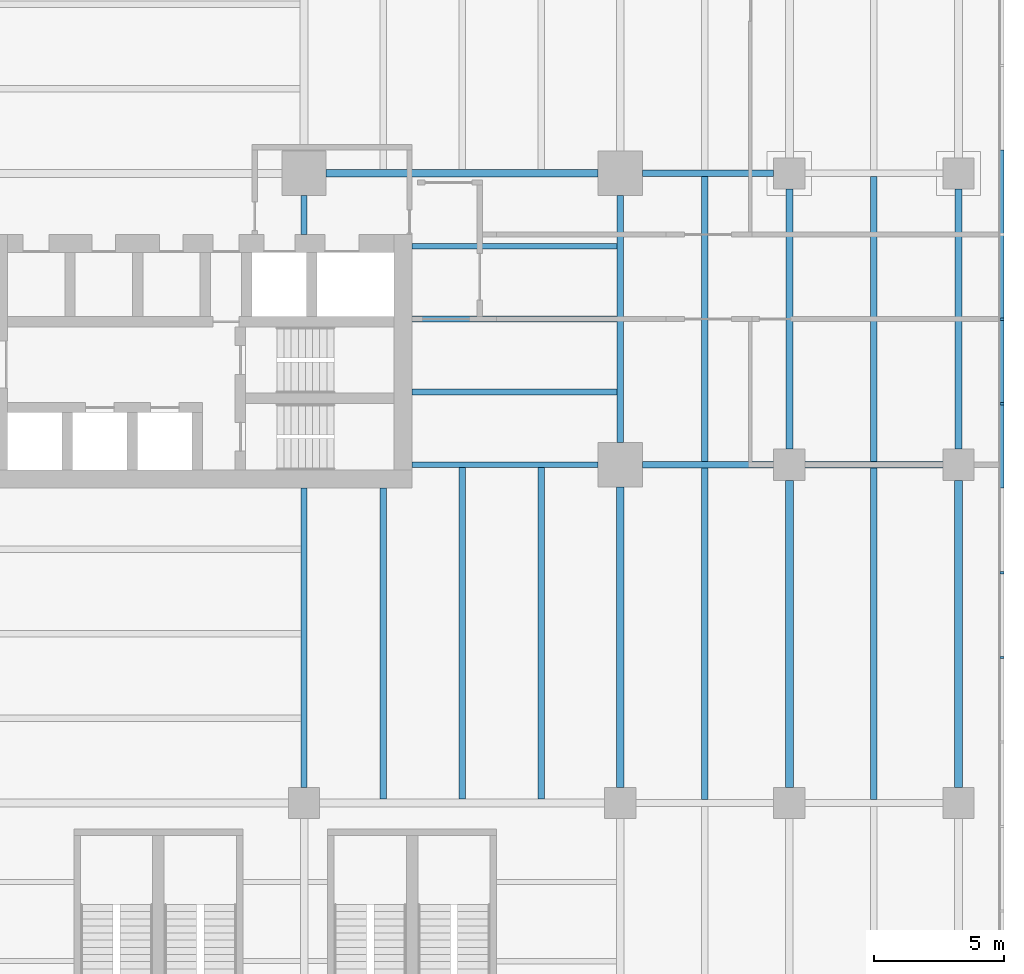
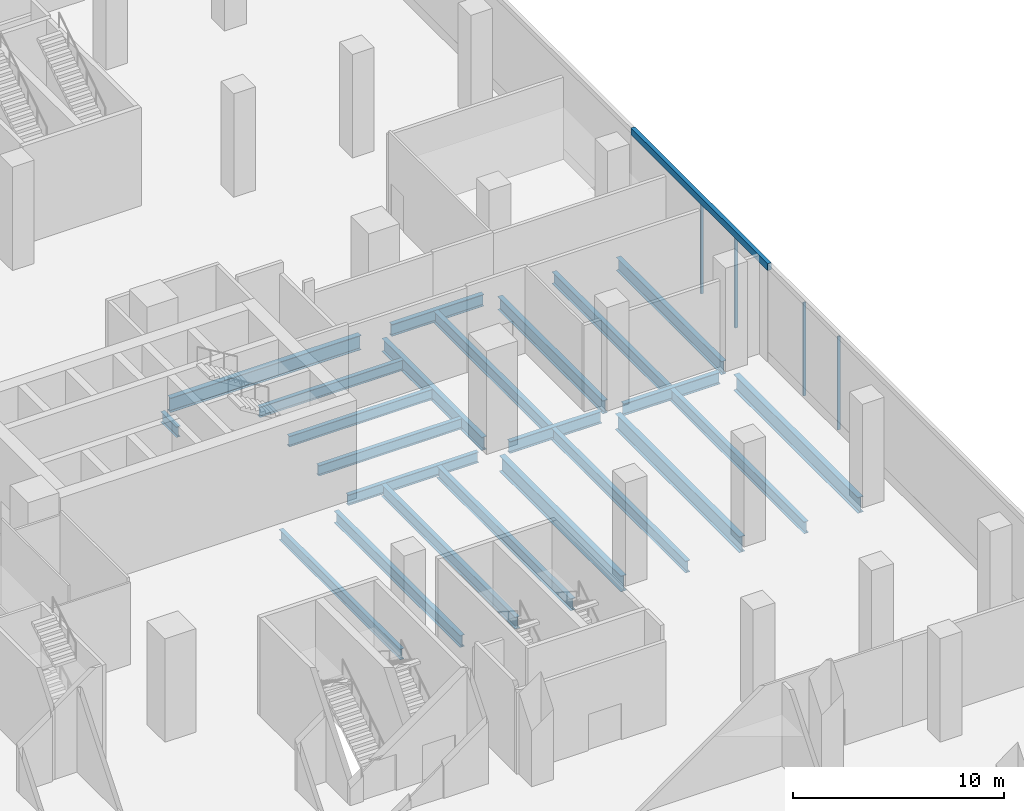
# One storey, part 17 of 41: 23 beams, 5 members, 2 elements without a shape of their own.
"""IFC4 building model written with IfcOpenShell, lengths in metres."""

from ifc_helpers import new_model, si_unit, direction, frame, origin, origin_2d, place, context, subcontext, project, spatial, polyline, rectangle, i_section, outline, extrude, source, transform, mapped, material, layer, layer_set, material_profile, profile_set, type_object, element, aggregate, save


model = new_model("IFC4")

# Units and contexts
model_context = context("Model", 3, precision=1e-05, world=origin(), true_north=direction((0.0, 1.0)))
body_context = subcontext(model_context, "Body", "Model", "MODEL_VIEW")
ifc_project = project(units=[si_unit("LENGTHUNIT", "METRE"), si_unit("AREAUNIT", "SQUARE_METRE"), si_unit("VOLUMEUNIT", "CUBIC_METRE"), si_unit("PLANEANGLEUNIT", "RADIAN"), si_unit("MASSUNIT", "GRAM", prefix="KILO")], contexts=[model_context])

# Site, building, storey
site_placement = place(None, origin())
site = spatial("IfcSite", under=ifc_project, at=site_placement, CompositionType="ELEMENT")
building_placement = place(site_placement, origin())
building = spatial("IfcBuilding", under=site, at=building_placement, Name="Trellis Farm Tower", CompositionType="ELEMENT")
storey_placement = place(building_placement, frame((0.0, 0.0, 8.0)))
storey = spatial("IfcBuildingStorey", under=building, at=storey_placement, Name="L01", CompositionType="ELEMENT", Elevation=8.0)

# Curtain wall, member
ifc_material_1 = material(Name="Aluminium and glass curtain wall", Category="aluminium")
ifc_layer_1 = layer(ifc_material_1, 0.2099609375)
ifc_layer_set_1 = layer_set([ifc_layer_1], Name="LOBBY CURTAIN WALL CW4")
curtain_wall_type_1 = type_object("IfcCurtainWallType", Name="LOBBY CURTAIN WALL CW4", PredefinedType="NOTDEFINED", material=ifc_layer_set_1)
placement = place(storey_placement, origin())
curtain_wall_1 = element("IfcCurtainWall", 1, at=placement, inside=storey, type_object=curtain_wall_type_1, Name="CW4 001", PredefinedType="NOTDEFINED")
ifc_material_2 = material(Name="Aluminium extrusion 6063-T6", Category="aluminium")
ifc_layer_2 = layer(ifc_material_2, 0.2099609375)
ifc_layer_set_2 = layer_set([ifc_layer_2], Name="Aluminium extrusion 6063-T6")
member_type_1 = type_object("IfcMemberType", Name="CW4 TRANSOM 210x400", PredefinedType="USERDEFINED", material=ifc_layer_set_2)
member_1_placement = place(storey_placement, frame((0.0, 0.0, 5.300048828125)))
member_1 = element("IfcMember", 2, at=member_1_placement, type_object=member_type_1, Name="TR4 001", ObjectType="TRANSOM", PredefinedType="USERDEFINED", context=body_context, shape_type="SweptSolid", body=[
    extrude(outline(polyline([(45.5, -6.5), (45.5, 6.5), (45.2900390625, 6.5), (45.2900390625, -6.5), (45.5, -6.5)])), origin(), (0.0, 0.0, 1.0), 0.39990234375),
])

# Beams
ifc_material_3 = material(Name="Steel S355", Category="steel")
ifc_material_profile_1 = material_profile(ifc_material_3, i_section(OverallWidth=0.253662109375, OverallDepth=0.68359375, WebThickness=0.012451171875, FlangeThickness=0.021728515625, FilletRadius=0.01513671875, at=origin_2d()), Name="UB 686x254x140")
ifc_profile_set_1 = profile_set([ifc_material_profile_1], Name="Steel S355")
beam_type_1 = type_object("IfcBeamType", Name="UB 686x254x140", PredefinedType="BEAM", material=ifc_profile_set_1)
shared_shape_1 = source(origin(), body_context, "Body", "SweptSolid", [
    extrude(i_section(OverallWidth=0.253662109375, OverallDepth=0.68359375, WebThickness=0.012451171875, FlangeThickness=0.021728515625, FilletRadius=0.01513671875, at=origin_2d()), origin(), (0.0, 0.0, 1.0), 5.2998046875),
])
beam_1_placement = place(storey_placement, frame((37.85009765625, -5.60009765625, -0.641845703125), z_axis=(1.0, 0.0, 0.0), x_axis=(0.0, 1.0, 0.0)))
element("IfcBeam", 3, at=beam_1_placement, inside=storey, type_object=beam_type_1, Name="Girder", PredefinedType="BEAM", context=body_context, shape_type="MappedRepresentation", body=[
    mapped(shared_shape_1, transform((0.0, 0.0, 0.0))),
])
ifc_material_profile_2 = material_profile(ifc_material_3, i_section(OverallWidth=0.305419921875, OverallDepth=0.91845703125, WebThickness=0.017333984375, FlangeThickness=0.02783203125, FilletRadius=0.01904296875, at=origin_2d()), Name="UB 914x305x253")
ifc_profile_set_2 = profile_set([ifc_material_profile_2], Name="Steel S355")
beam_type_2 = type_object("IfcBeamType", Name="UB 914x305x253", PredefinedType="BEAM", material=ifc_profile_set_2)
shared_shape_2 = source(origin(), body_context, "Body", "SweptSolid", [
    extrude(i_section(OverallWidth=0.305419921875, OverallDepth=0.91845703125, WebThickness=0.017333984375, FlangeThickness=0.02783203125, FilletRadius=0.01904296875, at=origin_2d()), origin(), (0.0, 0.0, 1.0), 11.800048828125),
])
for number, where, z_axis, x_axis, name in (
    (4, (37.25, -18.0, -0.75927734375), (0.0, 1.0, 0.0), (-1.0, 0.0, 0.0), "Girder"),
    (5, (43.75, -18.0, -0.75927734375), (0.0, 1.0, 0.0), (-1.0, 0.0, 0.0), "Girder"),
):
    element("IfcBeam", number, at=place(storey_placement, frame(where, z_axis=z_axis, x_axis=x_axis)), inside=storey, type_object=beam_type_2, Name=name, PredefinedType="BEAM", context=body_context, shape_type="MappedRepresentation", body=[
        mapped(shared_shape_2, transform((0.0, 0.0, 0.0))),
    ])
ifc_material_profile_3 = material_profile(ifc_material_3, i_section(OverallWidth=0.2666015625, OverallDepth=0.76220703125, WebThickness=0.014404296875, FlangeThickness=0.021484375, FilletRadius=0.0166015625, at=origin_2d()), Name="UB 762x267x173")
ifc_profile_set_3 = profile_set([ifc_material_profile_3], Name="Steel S355")
beam_type_3 = type_object("IfcBeamType", Name="UB 762x267x173", PredefinedType="BEAM", material=ifc_profile_set_3)
shared_shape_3 = source(origin(), body_context, "Body", "SweptSolid", [
    extrude(i_section(OverallWidth=0.2666015625, OverallDepth=0.76220703125, WebThickness=0.014404296875, FlangeThickness=0.021484375, FilletRadius=0.0166015625, at=origin_2d()), origin(), (0.0, 0.0, 1.0), 10.0),
])
for number, where, z_axis, x_axis, name in (
    (6, (37.25, -5.0, -0.68115234375), (0.0, 1.0, 0.0), (-1.0, 0.0, 0.0), "Girder"),
    (7, (43.75, -5.0, -0.68115234375), (0.0, 1.0, 0.0), (-1.0, 0.0, 0.0), "Girder"),
):
    element("IfcBeam", number, at=place(storey_placement, frame(where, z_axis=z_axis, x_axis=x_axis)), inside=storey, type_object=beam_type_3, Name=name, PredefinedType="BEAM", context=body_context, shape_type="MappedRepresentation", body=[
        mapped(shared_shape_3, transform((0.0, 0.0, 0.0))),
    ])
shared_shape_4 = source(origin(), body_context, "Body", "SweptSolid", [
    extrude(i_section(OverallWidth=0.305419921875, OverallDepth=0.91845703125, WebThickness=0.017333984375, FlangeThickness=0.02783203125, FilletRadius=0.01904296875, at=origin_2d()), origin(), (0.0, 0.0, 1.0), 11.550048828125),
])
beam_2_placement = place(storey_placement, frame((30.75, -18.0, -0.75927734375), z_axis=(0.0, 1.0, 0.0), x_axis=(-1.0, 0.0, 0.0)))
element("IfcBeam", 8, at=beam_2_placement, inside=storey, type_object=beam_type_2, Name="Girder", PredefinedType="BEAM", context=body_context, shape_type="MappedRepresentation", body=[
    mapped(shared_shape_4, transform((0.0, 0.0, 0.0))),
])
shared_shape_5 = source(origin(), body_context, "Body", "SweptSolid", [
    extrude(i_section(OverallWidth=0.2666015625, OverallDepth=0.76220703125, WebThickness=0.014404296875, FlangeThickness=0.021484375, FilletRadius=0.0166015625, at=origin_2d()), origin(), (0.0, 0.0, 1.0), 9.5),
])
beam_3_placement = place(storey_placement, frame((30.75, -4.75, -0.68115234375), z_axis=(0.0, 1.0, 0.0), x_axis=(-1.0, 0.0, 0.0)))
element("IfcBeam", 9, at=beam_3_placement, inside=storey, type_object=beam_type_3, Name="Girder", PredefinedType="BEAM", context=body_context, shape_type="MappedRepresentation", body=[
    mapped(shared_shape_5, transform((0.0, 0.0, 0.0))),
])
shared_shape_6 = source(origin(), body_context, "Body", "SweptSolid", [
    extrude(i_section(OverallWidth=0.253662109375, OverallDepth=0.68359375, WebThickness=0.012451171875, FlangeThickness=0.021728515625, FilletRadius=0.01513671875, at=origin_2d()), origin(), (0.0, 0.0, 1.0), 5.0498046875),
])
for number, where, z_axis, x_axis, name in (
    (10, (31.60009765625, -5.60009765625, -0.641845703125), (1.0, 0.0, 0.0), (0.0, 1.0, 0.0), "Girder"),
    (11, (31.60009765625, 5.60009765625, -0.641845703125), (1.0, 0.0, 0.0), (0.0, 1.0, 0.0), "Girder"),
):
    element("IfcBeam", number, at=place(storey_placement, frame(where, z_axis=z_axis, x_axis=x_axis)), inside=storey, type_object=beam_type_1, Name=name, PredefinedType="BEAM", context=body_context, shape_type="MappedRepresentation", body=[
        mapped(shared_shape_6, transform((0.0, 0.0, 0.0))),
    ])
ifc_material_profile_4 = material_profile(ifc_material_3, i_section(OverallWidth=0.22900390625, OverallDepth=0.6123046875, WebThickness=0.011962890625, FlangeThickness=0.01953125, FilletRadius=0.0126953125, at=origin_2d()), Name="UB 610x229x125")
ifc_profile_set_4 = profile_set([ifc_material_profile_4], Name="Steel S355")
beam_type_4 = type_object("IfcBeamType", Name="UB 610x229x125", PredefinedType="BEAM", material=ifc_profile_set_4)
shared_shape_7 = source(origin(), body_context, "Body", "SweptSolid", [
    extrude(i_section(OverallWidth=0.22900390625, OverallDepth=0.6123046875, WebThickness=0.011962890625, FlangeThickness=0.01953125, FilletRadius=0.0126953125, at=origin_2d()), origin(), (0.0, 0.0, 1.0), 7.14990234375),
])
beam_4_placement = place(storey_placement, frame((22.75, -5.60009765625, -0.606201171875), z_axis=(1.0, 0.0, 0.0), x_axis=(0.0, 1.0, 0.0)))
element("IfcBeam", 12, at=beam_4_placement, inside=storey, type_object=beam_type_4, Name="Girder", PredefinedType="BEAM", context=body_context, shape_type="MappedRepresentation", body=[
    mapped(shared_shape_7, transform((0.0, 0.0, 0.0))),
])
ifc_material_profile_5 = material_profile(ifc_material_3, i_section(OverallWidth=0.29248046875, OverallDepth=0.8408203125, WebThickness=0.0146484375, FlangeThickness=0.021728515625, FilletRadius=0.017822265625, at=origin_2d()), Name="UB 838x292x194")
ifc_profile_set_5 = profile_set([ifc_material_profile_5], Name="Steel S355")
beam_type_5 = type_object("IfcBeamType", Name="UB 838x292x194", PredefinedType="BEAM", material=ifc_profile_set_5)
shared_shape_8 = source(origin(), body_context, "Body", "SweptSolid", [
    extrude(i_section(OverallWidth=0.29248046875, OverallDepth=0.8408203125, WebThickness=0.0146484375, FlangeThickness=0.021728515625, FilletRadius=0.017822265625, at=origin_2d()), origin(), (0.0, 0.0, 1.0), 10.449951171875),
])
beam_5_placement = place(storey_placement, frame((19.449951171875, 5.60009765625, -0.72021484375), z_axis=(1.0, 0.0, 0.0), x_axis=(0.0, 1.0, 0.0)))
element("IfcBeam", 13, at=beam_5_placement, inside=storey, type_object=beam_type_5, Name="Girder", PredefinedType="BEAM", context=body_context, shape_type="MappedRepresentation", body=[
    mapped(shared_shape_8, transform((0.0, 0.0, 0.0))),
])
shared_shape_9 = source(origin(), body_context, "Body", "SweptSolid", [
    extrude(i_section(OverallWidth=0.22900390625, OverallDepth=0.6123046875, WebThickness=0.011962890625, FlangeThickness=0.01953125, FilletRadius=0.0126953125, at=origin_2d()), origin(), (0.0, 0.0, 1.0), 11.5),
])
beam_6_placement = place(storey_placement, frame((18.60009765625, -18.0, -0.606201171875), z_axis=(0.0, 1.0, 0.0), x_axis=(-1.0, 0.0, 0.0)))
element("IfcBeam", 14, at=beam_6_placement, inside=storey, type_object=beam_type_4, Name="Girder", PredefinedType="BEAM", context=body_context, shape_type="MappedRepresentation", body=[
    mapped(shared_shape_9, transform((0.0, 0.0, 0.0))),
])
shared_shape_10 = source(origin(), body_context, "Body", "SweptSolid", [
    extrude(i_section(OverallWidth=0.22900390625, OverallDepth=0.6123046875, WebThickness=0.011962890625, FlangeThickness=0.01953125, FilletRadius=0.0126953125, at=origin_2d()), origin(), (0.0, 0.0, 1.0), 1.5),
])
beam_7_placement = place(storey_placement, frame((18.60009765625, 3.25, -0.606201171875), z_axis=(0.0, 1.0, 0.0), x_axis=(-1.0, 0.0, 0.0)))
element("IfcBeam", 15, at=beam_7_placement, inside=storey, type_object=beam_type_4, Name="Girder", PredefinedType="BEAM", context=body_context, shape_type="MappedRepresentation", body=[
    mapped(shared_shape_10, transform((0.0, 0.0, 0.0))),
])
ifc_material_profile_6 = material_profile(ifc_material_3, i_section(OverallWidth=0.253662109375, OverallDepth=0.68359375, WebThickness=0.012451171875, FlangeThickness=0.021728515625, FilletRadius=0.01513671875, at=origin_2d()), Name="UB 686x254x140")
ifc_profile_set_6 = profile_set([ifc_material_profile_6], Name="Steel S355")
beam_type_6 = type_object("IfcBeamType", Name="UB 686x254x140 joist", PredefinedType="JOIST", material=ifc_profile_set_6)
shared_shape_11 = source(origin(), body_context, "Body", "SweptSolid", [
    extrude(i_section(OverallWidth=0.253662109375, OverallDepth=0.68359375, WebThickness=0.012451171875, FlangeThickness=0.021728515625, FilletRadius=0.01513671875, at=origin_2d()), origin(), (0.0, 0.0, 1.0), 12.746337890625),
])
for number, where, z_axis, x_axis, name in (
    (16, (34.0, -18.47314453125, -0.641845703125), (0.0, 1.0, 0.0), (-1.0, 0.0, 0.0), "Floor beam"),
    (17, (40.5, -18.47314453125, -0.641845703125), (0.0, 1.0, 0.0), (-1.0, 0.0, 0.0), "Floor beam"),
):
    element("IfcBeam", number, at=place(storey_placement, frame(where, z_axis=z_axis, x_axis=x_axis)), inside=storey, type_object=beam_type_6, Name=name, PredefinedType="JOIST", context=body_context, shape_type="MappedRepresentation", body=[
        mapped(shared_shape_11, transform((0.0, 0.0, 0.0))),
    ])
shared_shape_12 = source(origin(), body_context, "Body", "SweptSolid", [
    extrude(i_section(OverallWidth=0.253662109375, OverallDepth=0.68359375, WebThickness=0.012451171875, FlangeThickness=0.021728515625, FilletRadius=0.01513671875, at=origin_2d()), origin(), (0.0, 0.0, 1.0), 10.9462890625),
])
for number, where, z_axis, x_axis, name in (
    (18, (34.0, -5.47314453125, -0.641845703125), (0.0, 1.0, 0.0), (-1.0, 0.0, 0.0), "Floor beam"),
    (19, (40.5, -5.47314453125, -0.641845703125), (0.0, 1.0, 0.0), (-1.0, 0.0, 0.0), "Floor beam"),
):
    element("IfcBeam", number, at=place(storey_placement, frame(where, z_axis=z_axis, x_axis=x_axis)), inside=storey, type_object=beam_type_6, Name=name, PredefinedType="JOIST", context=body_context, shape_type="MappedRepresentation", body=[
        mapped(shared_shape_12, transform((0.0, 0.0, 0.0))),
    ])
ifc_material_profile_7 = material_profile(ifc_material_3, i_section(OverallWidth=0.2275390625, OverallDepth=0.6025390625, WebThickness=0.010498046875, FlangeThickness=0.014892578125, FilletRadius=0.0126953125, at=origin_2d()), Name="UB 610x229x101")
ifc_profile_set_7 = profile_set([ifc_material_profile_7], Name="Steel S355")
beam_type_7 = type_object("IfcBeamType", Name="UB 610x229x101 joist", PredefinedType="JOIST", material=ifc_profile_set_7)
shared_shape_13 = source(origin(), body_context, "Body", "SweptSolid", [
    extrude(i_section(OverallWidth=0.2275390625, OverallDepth=0.6025390625, WebThickness=0.010498046875, FlangeThickness=0.014892578125, FilletRadius=0.0126953125, at=origin_2d()), origin(), (0.0, 0.0, 1.0), 7.86669921875),
])
for number, where, z_axis, x_axis, name in (
    (20, (22.75, -2.800048828125, -0.601318359375), (1.0, 0.0, 0.0), (0.0, 1.0, 0.0), "Floor beam"),
    (21, (22.75, 0.0, -0.601318359375), (1.0, 0.0, 0.0), (0.0, 1.0, 0.0), "Floor beam"),
    (22, (22.75, 2.800048828125, -0.601318359375), (1.0, 0.0, 0.0), (0.0, 1.0, 0.0), "Floor beam"),
):
    element("IfcBeam", number, at=place(storey_placement, frame(where, z_axis=z_axis, x_axis=x_axis)), inside=storey, type_object=beam_type_7, Name=name, PredefinedType="JOIST", context=body_context, shape_type="MappedRepresentation", body=[
        mapped(shared_shape_13, transform((0.0, 0.0, 0.0))),
    ])
shared_shape_14 = source(origin(), body_context, "Body", "SweptSolid", [
    extrude(i_section(OverallWidth=0.253662109375, OverallDepth=0.68359375, WebThickness=0.012451171875, FlangeThickness=0.021728515625, FilletRadius=0.01513671875, at=origin_2d()), origin(), (0.0, 0.0, 1.0), 12.7392578125),
])
for number, where, z_axis, x_axis, name in (
    (23, (24.675048828125, -18.453857421875, -0.641845703125), (0.0, 1.0, 0.0), (-1.0, 0.0, 0.0), "Floor beam"),
    (24, (27.71240234375, -18.453857421875, -0.641845703125), (0.0, 1.0, 0.0), (-1.0, 0.0, 0.0), "Floor beam"),
):
    element("IfcBeam", number, at=place(storey_placement, frame(where, z_axis=z_axis, x_axis=x_axis)), inside=storey, type_object=beam_type_6, Name=name, PredefinedType="JOIST", context=body_context, shape_type="MappedRepresentation", body=[
        mapped(shared_shape_14, transform((0.0, 0.0, 0.0))),
    ])
shared_shape_15 = source(origin(), body_context, "Body", "SweptSolid", [
    extrude(i_section(OverallWidth=0.253662109375, OverallDepth=0.68359375, WebThickness=0.012451171875, FlangeThickness=0.021728515625, FilletRadius=0.01513671875, at=origin_2d()), origin(), (0.0, 0.0, 1.0), 11.953857421875),
])
beam_8_placement = place(storey_placement, frame((21.637451171875, -18.453857421875, -0.641845703125), z_axis=(0.0, 1.0, 0.0), x_axis=(-1.0, 0.0, 0.0)))
element("IfcBeam", 25, at=beam_8_placement, inside=storey, type_object=beam_type_6, Name="Floor beam", PredefinedType="JOIST", context=body_context, shape_type="MappedRepresentation", body=[
    mapped(shared_shape_15, transform((0.0, 0.0, 0.0))),
])

# Curtain wall, members
ifc_layer_3 = layer(ifc_material_1, 0.201904296875)
ifc_layer_set_3 = layer_set([ifc_layer_3], Name="SHOPFRONT CURTAIN WALL CW2")
curtain_wall_type_2 = type_object("IfcCurtainWallType", Name="SHOPFRONT CURTAIN WALL CW2", PredefinedType="NOTDEFINED", material=ifc_layer_set_3)
curtain_wall_2 = element("IfcCurtainWall", 26, at=placement, inside=storey, type_object=curtain_wall_type_2, Name="CW2 001", PredefinedType="NOTDEFINED")
ifc_material_profile_8 = material_profile(ifc_material_2, rectangle(XDim=0.080078125, YDim=0.14990234375, at=origin_2d()), Name="MULLION 80x150")
ifc_profile_set_8 = profile_set([ifc_material_profile_8], Name="Aluminium extrusion 6063-T6")
member_type_2 = type_object("IfcMemberType", Name="CW2 MULLION 80x150", PredefinedType="MULLION", material=ifc_profile_set_8)
shared_shape_16 = source(origin(), body_context, "Body", "SweptSolid", [
    extrude(rectangle(XDim=0.080078125, YDim=0.14990234375, at=origin_2d()), origin(), (0.0, 0.0, 1.0), 5.39990234375),
])
member_2_placement = place(storey_placement, frame((45.425048828125, -13.0, 0.0), z_axis=(0.0, 0.0, 1.0), x_axis=(0.0, 1.0, 0.0)))
member_2 = element("IfcMember", 27, at=member_2_placement, type_object=member_type_2, Name="MU2 001-09", PredefinedType="MULLION", context=body_context, shape_type="MappedRepresentation", body=[
    mapped(shared_shape_16, transform((0.0, 0.0, 0.0))),
])
member_3_placement = place(storey_placement, frame((45.425048828125, -9.75, 0.0), z_axis=(0.0, 0.0, 1.0), x_axis=(0.0, 1.0, 0.0)))
member_3 = element("IfcMember", 28, at=member_3_placement, type_object=member_type_2, Name="MU2 001-10", PredefinedType="MULLION", context=body_context, shape_type="MappedRepresentation", body=[
    mapped(shared_shape_16, transform((0.0, 0.0, 0.0))),
])
aggregate(curtain_wall_2, [member_2, member_3])

# Member
ifc_material_profile_9 = material_profile(ifc_material_2, rectangle(XDim=0.10009765625, YDim=0.14990234375, at=origin_2d()), Name="MULLION 100x150")
ifc_profile_set_9 = profile_set([ifc_material_profile_9], Name="Aluminium extrusion 6063-T6")
member_type_3 = type_object("IfcMemberType", Name="CW4 MULLION 100x150", PredefinedType="MULLION", material=ifc_profile_set_9)
shared_shape_17 = source(origin(), body_context, "Body", "SweptSolid", [
    extrude(rectangle(XDim=0.10009765625, YDim=0.14990234375, at=origin_2d()), origin(), (0.0, 0.0, 1.0), 5.300048828125),
])
member_4_placement = place(storey_placement, frame((45.425048828125, -3.25, 0.0), z_axis=(0.0, 0.0, 1.0), x_axis=(0.0, 1.0, 0.0)))
member_4 = element("IfcMember", 29, at=member_4_placement, type_object=member_type_3, Name="MU4 001-01", PredefinedType="MULLION", context=body_context, shape_type="MappedRepresentation", body=[
    mapped(shared_shape_17, transform((0.0, 0.0, 0.0))),
])

member_5_placement = place(storey_placement, frame((45.425048828125, 0.0, 0.0), z_axis=(0.0, 0.0, 1.0), x_axis=(0.0, 1.0, 0.0)))
member_5 = element("IfcMember", 30, at=member_5_placement, type_object=member_type_3, Name="MU4 001-02", PredefinedType="MULLION", context=body_context, shape_type="MappedRepresentation", body=[
    mapped(shared_shape_17, transform((0.0, 0.0, 0.0))),
])

aggregate(curtain_wall_1, [member_4, member_5, member_1])

save(model, "model.ifc")
